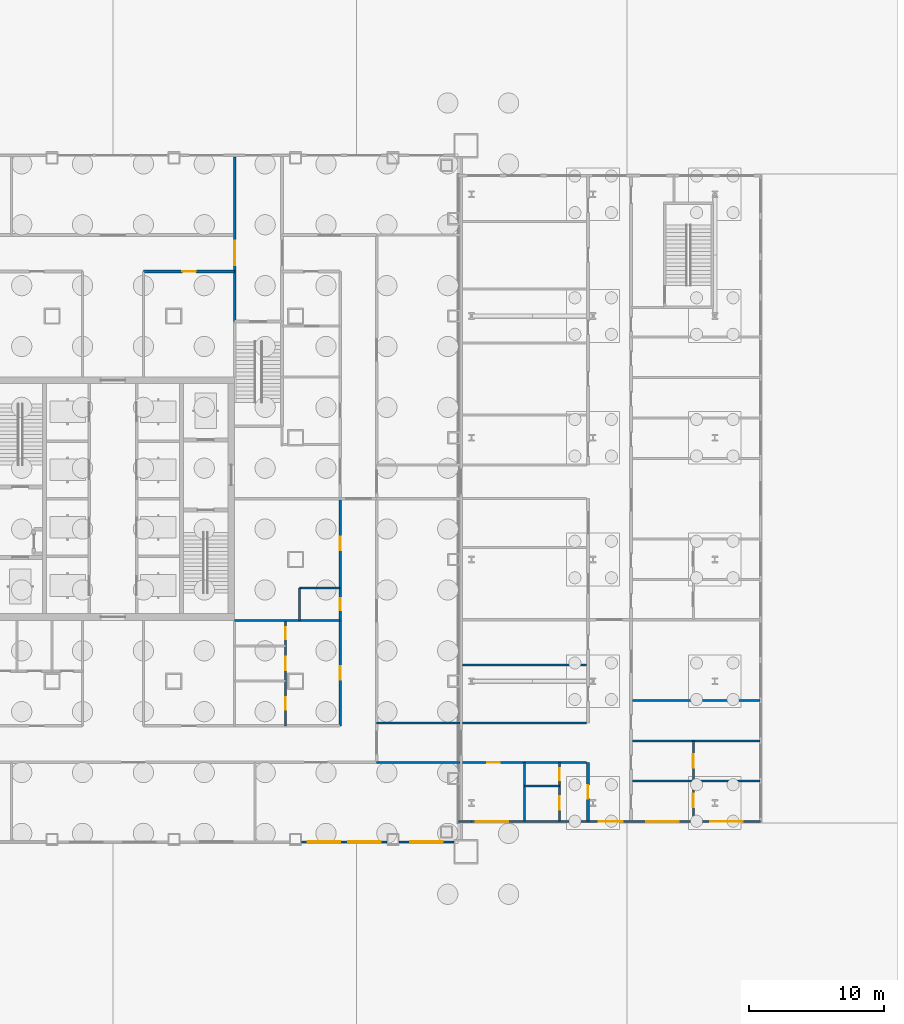
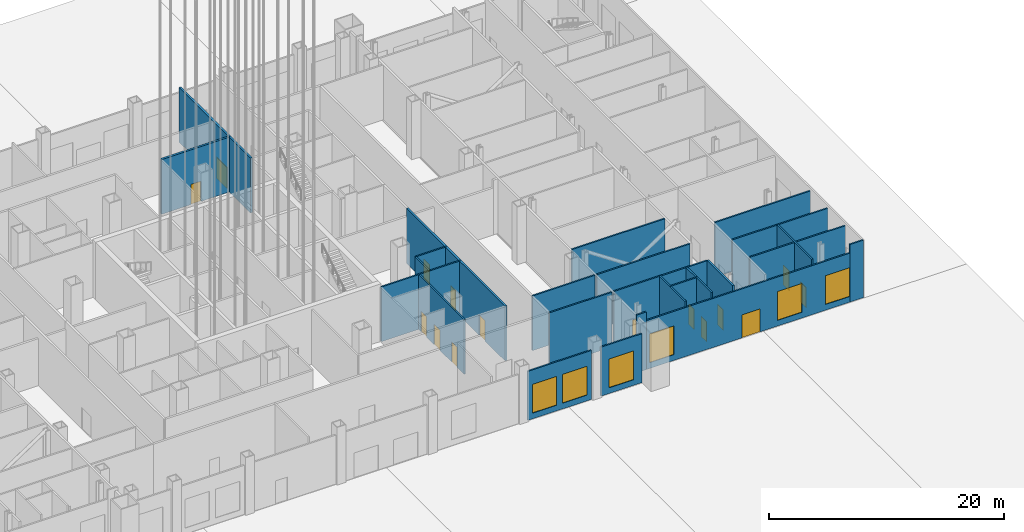
# One storey, part 9 of 36: 25 walls, 15 doors, 6 windows, 21 openings.
"""IFC4 building model written with IfcOpenShell, lengths in metres."""

from ifc_helpers import new_model, si_unit, direction, frame, frame_2d, origin, place, context, subcontext, project, spatial, rectangle, extrude, material, layer, layer_set, type_object, element, fill, save


model = new_model("IFC4")

# Units and contexts
model_context = context("Model", 3, precision=1e-05, world=origin(), true_north=direction((0.0, 1.0)))
body_context = subcontext(model_context, "Body", "Model", "MODEL_VIEW")
ifc_project = project(units=[si_unit("LENGTHUNIT", "METRE"), si_unit("AREAUNIT", "SQUARE_METRE"), si_unit("VOLUMEUNIT", "CUBIC_METRE"), si_unit("PLANEANGLEUNIT", "RADIAN"), si_unit("MASSUNIT", "GRAM", prefix="KILO")], contexts=[model_context])

# Site, building, storey
site_placement = place(None, origin())
site = spatial("IfcSite", under=ifc_project, at=site_placement, CompositionType="ELEMENT")
building_placement = place(site_placement, origin())
building = spatial("IfcBuilding", under=site, at=building_placement, Name="Malebo Sky Hospital", CompositionType="ELEMENT")
storey_placement = place(building_placement, origin())
storey = spatial("IfcBuildingStorey", under=building, at=storey_placement, Name="L00", CompositionType="ELEMENT", Elevation=0.0)

# Wall, opening, door
ifc_material_1 = material(Name="Gypsum board on steel studs", Category="steel")
ifc_layer_1 = layer(ifc_material_1, 0.199951171875)
ifc_layer_set_1 = layer_set([ifc_layer_1], Name="CORRIDOR WALL 200")
wall_type_1 = type_object("IfcWallType", Name="CORRIDOR WALL 200", PredefinedType="PARTITIONING", material=ifc_layer_set_1)
wall_1_placement = place(storey_placement, frame((62.25, 78.800048828125, 0.0), z_axis=(0.0, 0.0, 1.0), x_axis=(1.0, 0.0, 0.0)))
wall_1 = element("IfcWall", 1, at=wall_1_placement, inside=storey, type_object=wall_type_1, Name="Corridor Wall 200 NCI2", PredefinedType="PARTITIONING", context=body_context, shape_type="SweptSolid", body=[
    extrude(rectangle(XDim=6.75, YDim=0.199951171875, at=frame_2d((3.375, 0.0))), origin(), (0.0, 0.0, 1.0), 5.699951171875),
])
opening_1_placement = place(wall_1_placement, frame((2.875, 0.0, 0.0)))
opening_1 = element("IfcOpeningElement", 2, at=opening_1_placement, cuts=wall_1, Name="Opening D03", PredefinedType="OPENING", context=body_context, shape_type="SweptSolid", body=[
    extrude(rectangle(XDim=1.0, YDim=2.10009765625, at=frame_2d((0.5, 1.050048828125))), frame((0.0, 0.10986328125, 0.0), z_axis=(0.0, -1.0, 0.0), x_axis=(1.0, 0.0, 0.0)), (0.0, 0.0, 1.0), 0.219970703125),
])
ifc_material_2 = material(Name="Hardwood-faced door leaf in steel frame", Category="steel")
door_type_1 = type_object("IfcDoorType", Name="ROOM DOOR 1000", OperationType="SINGLE_SWING_LEFT", PredefinedType="DOOR", material=ifc_material_2)
door_1_placement = place(opening_1_placement, origin())
door_1 = element("IfcDoor", 3, at=door_1_placement, inside=storey, type_object=door_type_1, Name="Store door", OperationType="SINGLE_SWING_RIGHT", OverallHeight=2.10009765625, OverallWidth=1.0, PredefinedType="DOOR", context=body_context, shape_type="SweptSolid", body=[
    extrude(rectangle(XDim=1.0, YDim=2.10009765625, at=frame_2d((0.5, 1.050048828125))), frame((0.0, 0.02490234375, 0.0), z_axis=(0.0, -1.0, 0.0), x_axis=(1.0, 0.0, 0.0)), (0.0, 0.0, 1.0), 0.050048828125),
])
fill(opening_1, door_1)

# Wall, openings, doors
wall_2_placement = place(storey_placement, frame((76.800048828125, 62.0, 0.0), z_axis=(0.0, 0.0, 1.0), x_axis=(0.0, -1.0, 0.0)))
wall_2 = element("IfcWall", 4, at=wall_2_placement, inside=storey, type_object=wall_type_1, Name="Corridor Wall 200 ECI2", PredefinedType="PARTITIONING", context=body_context, shape_type="SweptSolid", body=[
    extrude(rectangle(XDim=16.800048828125, YDim=0.199951171875, at=frame_2d((8.39990234375, 0.0))), origin(), (0.0, 0.0, 1.0), 5.699951171875),
])
opening_2_placement = place(wall_2_placement, frame((12.39990234375, 0.0, 0.0)))
opening_2 = element("IfcOpeningElement", 5, at=opening_2_placement, cuts=wall_2, Name="Opening D03", PredefinedType="OPENING", context=body_context, shape_type="SweptSolid", body=[
    extrude(rectangle(XDim=1.0, YDim=2.10009765625, at=frame_2d((0.5, 1.050048828125))), frame((0.0, 0.10986328125, 0.0), z_axis=(0.0, -1.0, 0.0), x_axis=(1.0, 0.0, 0.0)), (0.0, 0.0, 1.0), 0.219970703125),
])
opening_3_placement = place(wall_2_placement, frame((7.35009765625, 0.0, 0.0)))
opening_3 = element("IfcOpeningElement", 6, at=opening_3_placement, cuts=wall_2, Name="Opening D04", PredefinedType="OPENING", context=body_context, shape_type="SweptSolid", body=[
    extrude(rectangle(XDim=0.89990234375, YDim=2.10009765625, at=frame_2d((0.449951171875, 1.050048828125))), frame((0.0, 0.10986328125, 0.0), z_axis=(0.0, -1.0, 0.0), x_axis=(1.0, 0.0, 0.0)), (0.0, 0.0, 1.0), 0.219970703125),
])
opening_4_placement = place(wall_2_placement, frame((2.800048828125, 0.0, 0.0)))
opening_4 = element("IfcOpeningElement", 7, at=opening_4_placement, cuts=wall_2, Name="Opening D03", PredefinedType="OPENING", context=body_context, shape_type="SweptSolid", body=[
    extrude(rectangle(XDim=1.0, YDim=2.10009765625, at=frame_2d((0.5, 1.050048828125))), frame((0.0, 0.10986328125, 0.0), z_axis=(0.0, -1.0, 0.0), x_axis=(1.0, 0.0, 0.0)), (0.0, 0.0, 1.0), 0.219970703125),
])
door_2_placement = place(opening_2_placement, origin())
door_2 = element("IfcDoor", 8, at=door_2_placement, inside=storey, type_object=door_type_1, Name="Public WC vestibule door", OperationType="SINGLE_SWING_RIGHT", OverallHeight=2.10009765625, OverallWidth=1.0, PredefinedType="DOOR", context=body_context, shape_type="SweptSolid", body=[
    extrude(rectangle(XDim=1.0, YDim=2.10009765625, at=frame_2d((0.5, 1.050048828125))), frame((0.0, 0.02490234375, 0.0), z_axis=(0.0, -1.0, 0.0), x_axis=(1.0, 0.0, 0.0)), (0.0, 0.0, 1.0), 0.050048828125),
])
fill(opening_2, door_2)
door_3_placement = place(opening_4_placement, origin())
door_3 = element("IfcDoor", 9, at=door_3_placement, inside=storey, type_object=door_type_1, Name="Cleaning equipment store door", OperationType="SINGLE_SWING_LEFT", OverallHeight=2.10009765625, OverallWidth=1.0, PredefinedType="DOOR", context=body_context, shape_type="SweptSolid", body=[
    extrude(rectangle(XDim=1.0, YDim=2.10009765625, at=frame_2d((0.5, 1.050048828125))), frame((0.0, 0.02490234375, 0.0), z_axis=(0.0, -1.0, 0.0), x_axis=(1.0, 0.0, 0.0)), (0.0, 0.0, 1.0), 0.050048828125),
])
fill(opening_4, door_3)
door_type_2 = type_object("IfcDoorType", Name="ROOM DOOR 900", OperationType="SINGLE_SWING_LEFT", PredefinedType="DOOR", material=ifc_material_2)
door_4_placement = place(opening_3_placement, origin())
door_4 = element("IfcDoor", 10, at=door_4_placement, inside=storey, type_object=door_type_2, Name="Cleaner's room door", OperationType="SINGLE_SWING_LEFT", OverallHeight=2.10009765625, OverallWidth=0.89990234375, PredefinedType="DOOR", context=body_context, shape_type="SweptSolid", body=[
    extrude(rectangle(XDim=0.89990234375, YDim=2.10009765625, at=frame_2d((0.449951171875, 1.050048828125))), frame((0.0, 0.02490234375, 0.0), z_axis=(0.0, -1.0, 0.0), x_axis=(1.0, 0.0, 0.0)), (0.0, 0.0, 1.0), 0.050048828125),
])
fill(opening_3, door_4)

# Wall, opening, door
wall_3_placement = place(storey_placement, frame((95.117919921875, 38.14990234375, 0.0), z_axis=(0.0, 0.0, 1.0), x_axis=(0.0, 1.0, 0.0)))
wall_3 = element("IfcWall", 11, at=wall_3_placement, inside=storey, type_object=wall_type_1, Name="Corridor Wall 200 EWC2A", PredefinedType="PARTITIONING", context=body_context, shape_type="SweptSolid", body=[
    extrude(rectangle(XDim=4.35009765625, YDim=0.199951171875, at=frame_2d((2.175048828125, 0.0))), origin(), (0.0, 0.0, 1.0), 5.699951171875),
])
opening_5_placement = place(wall_3_placement, frame((1.675048828125, 0.0, 0.0)))
opening_5 = element("IfcOpeningElement", 12, at=opening_5_placement, cuts=wall_3, Name="Opening D03", PredefinedType="OPENING", context=body_context, shape_type="SweptSolid", body=[
    extrude(rectangle(XDim=1.0, YDim=2.10009765625, at=frame_2d((0.5, 1.050048828125))), frame((0.0, 0.10986328125, 0.0), z_axis=(0.0, -1.0, 0.0), x_axis=(1.0, 0.0, 0.0)), (0.0, 0.0, 1.0), 0.219970703125),
])
door_5_placement = place(opening_5_placement, origin())
door_5 = element("IfcDoor", 13, at=door_5_placement, inside=storey, type_object=door_type_1, Name="WC vestibule door", OperationType="SINGLE_SWING_RIGHT", OverallHeight=2.10009765625, OverallWidth=1.0, PredefinedType="DOOR", context=body_context, shape_type="SweptSolid", body=[
    extrude(rectangle(XDim=1.0, YDim=2.10009765625, at=frame_2d((0.5, 1.050048828125))), frame((0.0, 0.02490234375, 0.0), z_axis=(0.0, -1.0, 0.0), x_axis=(1.0, 0.0, 0.0)), (0.0, 0.0, 1.0), 0.050048828125),
])
fill(opening_5, door_5)

# Wall, openings, windows
ifc_material_3 = material(Name="Anodised aluminium, natural silver framed screen", Category="aluminium")
ifc_layer_2 = layer(ifc_material_3, 0.14990234375)
ifc_layer_set_2 = layer_set([ifc_layer_2], Name="GLAZED ENTRANCE SCREEN 150")
wall_type_2 = type_object("IfcWallType", Name="GLAZED ENTRANCE SCREEN 150", PredefinedType="STANDARD", material=ifc_layer_set_2)
wall_4_placement = place(storey_placement, frame((73.949951171875, 36.625, 0.0), z_axis=(0.0, 0.0, 1.0), x_axis=(1.0, 0.0, 0.0)))
wall_4 = element("IfcWall", 14, at=wall_4_placement, inside=storey, type_object=wall_type_2, Name="Glazed entrance screen BS", PredefinedType="STANDARD", context=body_context, shape_type="SweptSolid", body=[
    extrude(rectangle(XDim=6.300048828125, YDim=0.14990234375, at=frame_2d((3.14990234375, 0.0))), origin(), (0.0, 0.0, 1.0), 5.10009765625),
])
opening_6_placement = place(wall_4_placement, frame((0.449951171875, 0.0, 0.60009765625)))
opening_6 = element("IfcOpeningElement", 15, at=opening_6_placement, cuts=wall_4, Name="Opening W01", PredefinedType="OPENING", context=body_context, shape_type="SweptSolid", body=[
    extrude(rectangle(XDim=2.39990234375, YDim=3.0, at=frame_2d((1.199951171875, 1.5))), frame((0.0, 0.0849609375, 0.0), z_axis=(0.0, -1.0, 0.0), x_axis=(1.0, 0.0, 0.0)), (0.0, 0.0, 1.0), 0.169921875),
])
opening_7_placement = place(wall_4_placement, frame((3.449951171875, 0.0, 0.60009765625)))
opening_7 = element("IfcOpeningElement", 16, at=opening_7_placement, cuts=wall_4, Name="Opening W01", PredefinedType="OPENING", context=body_context, shape_type="SweptSolid", body=[
    extrude(rectangle(XDim=2.39990234375, YDim=3.0, at=frame_2d((1.199951171875, 1.5))), frame((0.0, 0.0849609375, 0.0), z_axis=(0.0, -1.0, 0.0), x_axis=(1.0, 0.0, 0.0)), (0.0, 0.0, 1.0), 0.169921875),
])
ifc_material_4 = material(Name="Clear low-iron double glazing", Category="glass")
window_type = type_object("IfcWindowType", Name="SCREEN GLAZING 2400x3000", PartitioningType="SINGLE_PANEL", PredefinedType="WINDOW", material=ifc_material_4)
window_1_placement = place(opening_6_placement, origin())
window_1 = element("IfcWindow", 17, at=window_1_placement, inside=storey, type_object=window_type, Name="Screen glazing 5", OverallHeight=3.0, OverallWidth=2.39990234375, PartitioningType="SINGLE_PANEL", PredefinedType="WINDOW", context=body_context, shape_type="SweptSolid", body=[
    extrude(rectangle(XDim=2.39990234375, YDim=3.0, at=frame_2d((1.199951171875, 1.5))), frame((0.0, 0.030029296875, 0.0), z_axis=(0.0, -1.0, 0.0), x_axis=(1.0, 0.0, 0.0)), (0.0, 0.0, 1.0), 0.06005859375),
])
fill(opening_6, window_1)
window_2_placement = place(opening_7_placement, origin())
window_2 = element("IfcWindow", 18, at=window_2_placement, inside=storey, type_object=window_type, Name="Screen glazing 6", OverallHeight=3.0, OverallWidth=2.39990234375, PartitioningType="SINGLE_PANEL", PredefinedType="WINDOW", context=body_context, shape_type="SweptSolid", body=[
    extrude(rectangle(XDim=2.39990234375, YDim=3.0, at=frame_2d((1.199951171875, 1.5))), frame((0.0, 0.030029296875, 0.0), z_axis=(0.0, -1.0, 0.0), x_axis=(1.0, 0.0, 0.0)), (0.0, 0.0, 1.0), 0.06005859375),
])
fill(opening_7, window_2)

# Wall, opening, window
wall_5_placement = place(storey_placement, frame((81.14990234375, 36.625, 0.0), z_axis=(0.0, 0.0, 1.0), x_axis=(1.0, 0.0, 0.0)))
wall_5 = element("IfcWall", 19, at=wall_5_placement, inside=storey, type_object=wall_type_2, Name="Glazed entrance screen BS", PredefinedType="STANDARD", context=body_context, shape_type="SweptSolid", body=[
    extrude(rectangle(XDim=4.050048828125, YDim=0.14990234375, at=frame_2d((2.02490234375, 0.0))), origin(), (0.0, 0.0, 1.0), 5.10009765625),
])
opening_8_placement = place(wall_5_placement, frame((0.824951171875, 0.0, 0.60009765625)))
opening_8 = element("IfcOpeningElement", 20, at=opening_8_placement, cuts=wall_5, Name="Opening W01", PredefinedType="OPENING", context=body_context, shape_type="SweptSolid", body=[
    extrude(rectangle(XDim=2.39990234375, YDim=3.0, at=frame_2d((1.199951171875, 1.5))), frame((0.0, 0.0849609375, 0.0), z_axis=(0.0, -1.0, 0.0), x_axis=(1.0, 0.0, 0.0)), (0.0, 0.0, 1.0), 0.169921875),
])
window_3_placement = place(opening_8_placement, origin())
window_3 = element("IfcWindow", 21, at=window_3_placement, inside=storey, type_object=window_type, Name="Screen glazing 7", OverallHeight=3.0, OverallWidth=2.39990234375, PartitioningType="SINGLE_PANEL", PredefinedType="WINDOW", context=body_context, shape_type="SweptSolid", body=[
    extrude(rectangle(XDim=2.39990234375, YDim=3.0, at=frame_2d((1.199951171875, 1.5))), frame((0.0, 0.030029296875, 0.0), z_axis=(0.0, -1.0, 0.0), x_axis=(1.0, 0.0, 0.0)), (0.0, 0.0, 1.0), 0.06005859375),
])
fill(opening_8, window_3)

# Wall
wall_6_placement = place(storey_placement, frame((85.550048828125, 38.125, 0.0), z_axis=(0.0, 0.0, 1.0), x_axis=(1.0, 0.0, 0.0)))
element("IfcWall", 22, at=wall_6_placement, inside=storey, type_object=wall_type_2, Name="Glazed entrance screen ES", PredefinedType="STANDARD", context=body_context, shape_type="SweptSolid", body=[
    extrude(rectangle(XDim=0.949951171875, YDim=0.14990234375, at=frame_2d((0.47509765625, 0.0))), origin(), (0.0, 0.0, 1.0), 6.0),
])

# Wall, openings, door, windows
wall_7_placement = place(storey_placement, frame((86.5, 38.125, 0.0), z_axis=(0.0, 0.0, 1.0), x_axis=(1.0, 0.0, 0.0)))
wall_7 = element("IfcWall", 23, at=wall_7_placement, inside=storey, type_object=wall_type_2, Name="Glazed entrance screen ES", PredefinedType="STANDARD", context=body_context, shape_type="SweptSolid", body=[
    extrude(rectangle(XDim=20.053466796875, YDim=0.14990234375, at=frame_2d((10.02685546875, 0.0))), origin(), (0.0, 0.0, 1.0), 5.10009765625),
])
opening_9_placement = place(wall_7_placement, frame((9.39990234375, 0.0, 0.0)))
opening_9 = element("IfcOpeningElement", 24, at=opening_9_placement, cuts=wall_7, Name="Opening D12", PredefinedType="OPENING", context=body_context, shape_type="SweptSolid", body=[
    extrude(rectangle(XDim=1.800048828125, YDim=2.39990234375, at=frame_2d((0.89990234375, 1.199951171875))), frame((0.0, 0.0849609375, 0.0), z_axis=(0.0, -1.0, 0.0), x_axis=(1.0, 0.0, 0.0)), (0.0, 0.0, 1.0), 0.169921875),
])
opening_10_placement = place(wall_7_placement, frame((0.321533203125, 0.0, 0.60009765625)))
opening_10 = element("IfcOpeningElement", 25, at=opening_10_placement, cuts=wall_7, Name="Opening W01", PredefinedType="OPENING", context=body_context, shape_type="SweptSolid", body=[
    extrude(rectangle(XDim=2.39990234375, YDim=3.0, at=frame_2d((1.199951171875, 1.5))), frame((0.0, 0.0849609375, 0.0), z_axis=(0.0, -1.0, 0.0), x_axis=(1.0, 0.0, 0.0)), (0.0, 0.0, 1.0), 0.169921875),
])
opening_11_placement = place(wall_7_placement, frame((12.91943359375, 0.0, 0.60009765625)))
opening_11 = element("IfcOpeningElement", 26, at=opening_11_placement, cuts=wall_7, Name="Opening W01", PredefinedType="OPENING", context=body_context, shape_type="SweptSolid", body=[
    extrude(rectangle(XDim=2.39990234375, YDim=3.0, at=frame_2d((1.199951171875, 1.5))), frame((0.0, 0.0849609375, 0.0), z_axis=(0.0, -1.0, 0.0), x_axis=(1.0, 0.0, 0.0)), (0.0, 0.0, 1.0), 0.169921875),
])
opening_12_placement = place(wall_7_placement, frame((17.653564453125, 0.0, 0.60009765625)))
opening_12 = element("IfcOpeningElement", 27, at=opening_12_placement, cuts=wall_7, Name="Opening W01", PredefinedType="OPENING", context=body_context, shape_type="SweptSolid", body=[
    extrude(rectangle(XDim=2.39990234375, YDim=3.0, at=frame_2d((1.199951171875, 1.5))), frame((0.0, 0.0849609375, 0.0), z_axis=(0.0, -1.0, 0.0), x_axis=(1.0, 0.0, 0.0)), (0.0, 0.0, 1.0), 0.169921875),
])
ifc_material_5 = material(Name="Anodised aluminium, natural silver framed glazed door", Category="aluminium")
door_type_3 = type_object("IfcDoorType", Name="EXIT DOOR PAIR 1800", OperationType="DOUBLE_DOOR_SINGLE_SWING", PredefinedType="DOOR", material=ifc_material_5)
door_6_placement = place(opening_9_placement, frame((1.800048828125, 0.0, 0.0), z_axis=(0.0, 0.0, 1.0), x_axis=(-1.0, 0.0, 0.0)))
door_6 = element("IfcDoor", 28, at=door_6_placement, inside=storey, type_object=door_type_3, Name="East wing exit doors", OperationType="DOUBLE_DOOR_SINGLE_SWING", OverallHeight=2.39990234375, OverallWidth=1.800048828125, PredefinedType="DOOR", context=body_context, shape_type="SweptSolid", body=[
    extrude(rectangle(XDim=1.800048828125, YDim=2.39990234375, at=frame_2d((0.89990234375, 1.199951171875))), frame((0.0, 0.02490234375, 0.0), z_axis=(0.0, -1.0, 0.0), x_axis=(1.0, 0.0, 0.0)), (0.0, 0.0, 1.0), 0.050048828125),
])
fill(opening_9, door_6)
window_4_placement = place(opening_10_placement, origin())
window_4 = element("IfcWindow", 29, at=window_4_placement, inside=storey, type_object=window_type, Name="Screen glazing 1", OverallHeight=3.0, OverallWidth=2.39990234375, PartitioningType="SINGLE_PANEL", PredefinedType="WINDOW", context=body_context, shape_type="SweptSolid", body=[
    extrude(rectangle(XDim=2.39990234375, YDim=3.0, at=frame_2d((1.199951171875, 1.5))), frame((0.0, 0.030029296875, 0.0), z_axis=(0.0, -1.0, 0.0), x_axis=(1.0, 0.0, 0.0)), (0.0, 0.0, 1.0), 0.06005859375),
])
fill(opening_10, window_4)
window_5_placement = place(opening_11_placement, origin())
window_5 = element("IfcWindow", 30, at=window_5_placement, inside=storey, type_object=window_type, Name="Screen glazing 2", OverallHeight=3.0, OverallWidth=2.39990234375, PartitioningType="SINGLE_PANEL", PredefinedType="WINDOW", context=body_context, shape_type="SweptSolid", body=[
    extrude(rectangle(XDim=2.39990234375, YDim=3.0, at=frame_2d((1.199951171875, 1.5))), frame((0.0, 0.030029296875, 0.0), z_axis=(0.0, -1.0, 0.0), x_axis=(1.0, 0.0, 0.0)), (0.0, 0.0, 1.0), 0.06005859375),
])
fill(opening_11, window_5)
window_6_placement = place(opening_12_placement, origin())
window_6 = element("IfcWindow", 31, at=window_6_placement, inside=storey, type_object=window_type, Name="Screen glazing 3", OverallHeight=3.0, OverallWidth=2.39990234375, PartitioningType="SINGLE_PANEL", PredefinedType="WINDOW", context=body_context, shape_type="SweptSolid", body=[
    extrude(rectangle(XDim=2.39990234375, YDim=3.0, at=frame_2d((1.199951171875, 1.5))), frame((0.0, 0.030029296875, 0.0), z_axis=(0.0, -1.0, 0.0), x_axis=(1.0, 0.0, 0.0)), (0.0, 0.0, 1.0), 0.06005859375),
])
fill(opening_12, window_6)

# Walls
wall_8_placement = place(storey_placement, frame((106.553466796875, 38.125, 0.0), z_axis=(0.0, 0.0, 1.0), x_axis=(1.0, 0.0, 0.0)))
element("IfcWall", 32, at=wall_8_placement, inside=storey, type_object=wall_type_2, Name="Glazed entrance screen ES", PredefinedType="STANDARD", context=body_context, shape_type="SweptSolid", body=[
    extrude(rectangle(XDim=1.321533203125, YDim=0.14990234375, at=frame_2d((0.66064453125, 0.0))), origin(), (0.0, 0.0, 1.0), 6.0),
])
ifc_layer_3 = layer(ifc_material_1, 0.14990234375)
ifc_layer_set_3 = layer_set([ifc_layer_3], Name="PARTITION 150")
wall_type_3 = type_object("IfcWallType", Name="PARTITION 150", PredefinedType="PARTITIONING", material=ifc_layer_set_3)
for number, where, z_axis, x_axis, name in (
    (33, (79.5, 45.39990234375, 0.0), (0.0, 0.0, 1.0), (1.0, 0.0, 0.0), "Partition 150 EP+16.6"),
    (34, (79.5, 42.5, 0.0), (0.0, 0.0, 1.0), (1.0, 0.0, 0.0), "Partition 150 EP+19.5"),
):
    element("IfcWall", number, at=place(storey_placement, frame(where, z_axis=z_axis, x_axis=x_axis)), inside=storey, type_object=wall_type_3, Name=name, PredefinedType="PARTITIONING", context=body_context, shape_type="SweptSolid", body=[
        extrude(rectangle(XDim=6.14990234375, YDim=0.14990234375, at=frame_2d((3.074951171875, 0.0))), origin(), (0.0, 0.0, 1.0), 5.699951171875),
    ])
wall_9_placement = place(storey_placement, frame((69.0, 53.0, 0.0), z_axis=(0.0, 0.0, 1.0), x_axis=(1.0, 0.0, 0.0)))
element("IfcWall", 35, at=wall_9_placement, inside=storey, type_object=wall_type_3, Name="Partition 150 ESP9", PredefinedType="PARTITIONING", context=body_context, shape_type="SweptSolid", body=[
    extrude(rectangle(XDim=7.800048828125, YDim=0.14990234375, at=frame_2d((3.89990234375, 0.0))), origin(), (0.0, 0.0, 1.0), 5.699951171875),
])
wall_10_placement = place(storey_placement, frame((73.800048828125, 55.39990234375, 0.0), z_axis=(0.0, 0.0, 1.0), x_axis=(1.0, 0.0, 0.0)))
element("IfcWall", 36, at=wall_10_placement, inside=storey, type_object=wall_type_3, Name="Partition 150 ES1K1", PredefinedType="PARTITIONING", context=body_context, shape_type="SweptSolid", body=[
    extrude(rectangle(XDim=3.0, YDim=0.14990234375, at=frame_2d((1.5, 0.0))), origin(), (0.0, 0.0, 1.0), 5.699951171875),
])
wall_11_placement = place(storey_placement, frame((73.800048828125, 55.39990234375, 0.0), z_axis=(0.0, 0.0, 1.0), x_axis=(0.0, -1.0, 0.0)))
element("IfcWall", 37, at=wall_11_placement, inside=storey, type_object=wall_type_3, Name="Partition 150 ES1K2", PredefinedType="PARTITIONING", context=body_context, shape_type="SweptSolid", body=[
    extrude(rectangle(XDim=2.39990234375, YDim=0.14990234375, at=frame_2d((1.199951171875, 0.0))), origin(), (0.0, 0.0, 1.0), 5.699951171875),
])

# Wall, openings, doors
wall_12_placement = place(storey_placement, frame((72.75, 53.0, 0.0), z_axis=(0.0, 0.0, 1.0), x_axis=(0.0, -1.0, 0.0)))
wall_12 = element("IfcWall", 38, at=wall_12_placement, inside=storey, type_object=wall_type_3, Name="Partition 150 ES2F", PredefinedType="PARTITIONING", context=body_context, shape_type="SweptSolid", body=[
    extrude(rectangle(XDim=7.800048828125, YDim=0.14990234375, at=frame_2d((3.89990234375, 0.0))), origin(), (0.0, 0.0, 1.0), 5.699951171875),
])
opening_13_placement = place(wall_12_placement, frame((0.5, 0.0, 0.0)))
opening_13 = element("IfcOpeningElement", 39, at=opening_13_placement, cuts=wall_12, Name="Opening D04", PredefinedType="OPENING", context=body_context, shape_type="SweptSolid", body=[
    extrude(rectangle(XDim=0.89990234375, YDim=2.10009765625, at=frame_2d((0.449951171875, 1.050048828125))), frame((0.0, 0.0849609375, 0.0), z_axis=(0.0, -1.0, 0.0), x_axis=(1.0, 0.0, 0.0)), (0.0, 0.0, 1.0), 0.169921875),
])
opening_14_placement = place(wall_12_placement, frame((2.699951171875, 0.0, 0.0)))
opening_14 = element("IfcOpeningElement", 40, at=opening_14_placement, cuts=wall_12, Name="Opening D03", PredefinedType="OPENING", context=body_context, shape_type="SweptSolid", body=[
    extrude(rectangle(XDim=1.0, YDim=2.10009765625, at=frame_2d((0.5, 1.050048828125))), frame((0.0, 0.0849609375, 0.0), z_axis=(0.0, -1.0, 0.0), x_axis=(1.0, 0.0, 0.0)), (0.0, 0.0, 1.0), 0.169921875),
])
opening_15_placement = place(wall_12_placement, frame((5.699951171875, 0.0, 0.0)))
opening_15 = element("IfcOpeningElement", 41, at=opening_15_placement, cuts=wall_12, Name="Opening D04", PredefinedType="OPENING", context=body_context, shape_type="SweptSolid", body=[
    extrude(rectangle(XDim=0.89990234375, YDim=2.10009765625, at=frame_2d((0.449951171875, 1.050048828125))), frame((0.0, 0.0849609375, 0.0), z_axis=(0.0, -1.0, 0.0), x_axis=(1.0, 0.0, 0.0)), (0.0, 0.0, 1.0), 0.169921875),
])
door_7_placement = place(opening_14_placement, origin())
door_7 = element("IfcDoor", 42, at=door_7_placement, inside=storey, type_object=door_type_1, Name="Accessible WC door", OperationType="SINGLE_SWING_LEFT", OverallHeight=2.10009765625, OverallWidth=1.0, PredefinedType="DOOR", context=body_context, shape_type="SweptSolid", body=[
    extrude(rectangle(XDim=1.0, YDim=2.10009765625, at=frame_2d((0.5, 1.050048828125))), frame((0.0, 0.02490234375, 0.0), z_axis=(0.0, -1.0, 0.0), x_axis=(1.0, 0.0, 0.0)), (0.0, 0.0, 1.0), 0.050048828125),
])
fill(opening_14, door_7)
door_8_placement = place(opening_13_placement, origin())
door_8 = element("IfcDoor", 43, at=door_8_placement, inside=storey, type_object=door_type_2, Name="Public WC door", OperationType="SINGLE_SWING_LEFT", OverallHeight=2.10009765625, OverallWidth=0.89990234375, PredefinedType="DOOR", context=body_context, shape_type="SweptSolid", body=[
    extrude(rectangle(XDim=0.89990234375, YDim=2.10009765625, at=frame_2d((0.449951171875, 1.050048828125))), frame((0.0, 0.02490234375, 0.0), z_axis=(0.0, -1.0, 0.0), x_axis=(1.0, 0.0, 0.0)), (0.0, 0.0, 1.0), 0.050048828125),
])
fill(opening_13, door_8)
door_9_placement = place(opening_15_placement, origin())
door_9 = element("IfcDoor", 44, at=door_9_placement, inside=storey, type_object=door_type_2, Name="Public WC door", OperationType="SINGLE_SWING_RIGHT", OverallHeight=2.10009765625, OverallWidth=0.89990234375, PredefinedType="DOOR", context=body_context, shape_type="SweptSolid", body=[
    extrude(rectangle(XDim=0.89990234375, YDim=2.10009765625, at=frame_2d((0.449951171875, 1.050048828125))), frame((0.0, 0.02490234375, 0.0), z_axis=(0.0, -1.0, 0.0), x_axis=(1.0, 0.0, 0.0)), (0.0, 0.0, 1.0), 0.050048828125),
])
fill(opening_15, door_9)

# Walls
for number, where, z_axis, x_axis, name in (
    (45, (107.85009765625, 41.109375, 0.0), (0.0, 0.0, 1.0), (-1.0, 0.0, 0.0), "Partition 150 EOH00"),
    (46, (107.85009765625, 44.09375, 0.0), (0.0, 0.0, 1.0), (-1.0, 0.0, 0.0), "Partition 150 EOH01"),
    (47, (107.85009765625, 47.078125, 0.0), (0.0, 0.0, 1.0), (-1.0, 0.0, 0.0), "Partition 150 EOH02"),
):
    element("IfcWall", number, at=place(storey_placement, frame(where, z_axis=z_axis, x_axis=x_axis)), inside=storey, type_object=wall_type_3, Name=name, PredefinedType="PARTITIONING", context=body_context, shape_type="SweptSolid", body=[
        extrude(rectangle(XDim=9.443115234375, YDim=0.14990234375, at=frame_2d((4.7216796875, 0.0))), origin(), (0.0, 0.0, 1.0), 5.699951171875),
    ])

# Wall, openings, doors
wall_13_placement = place(storey_placement, frame((102.906982421875, 38.14990234375, 0.0), z_axis=(0.0, 0.0, 1.0), x_axis=(0.0, 1.0, 0.0)))
wall_13 = element("IfcWall", 48, at=wall_13_placement, inside=storey, type_object=wall_type_3, Name="Partition 150 EOV09", PredefinedType="PARTITIONING", context=body_context, shape_type="SweptSolid", body=[
    extrude(rectangle(XDim=5.94384765625, YDim=0.14990234375, at=frame_2d((2.971923828125, 0.0))), origin(), (0.0, 0.0, 1.0), 5.699951171875),
])
opening_16_placement = place(wall_13_placement, frame((1.02978515625, 0.0, 0.0)))
opening_16 = element("IfcOpeningElement", 49, at=opening_16_placement, cuts=wall_13, Name="Opening D03", PredefinedType="OPENING", context=body_context, shape_type="SweptSolid", body=[
    extrude(rectangle(XDim=1.0, YDim=2.10009765625, at=frame_2d((0.5, 1.050048828125))), frame((0.0, 0.0849609375, 0.0), z_axis=(0.0, -1.0, 0.0), x_axis=(1.0, 0.0, 0.0)), (0.0, 0.0, 1.0), 0.169921875),
])
opening_17_placement = place(wall_13_placement, frame((3.95166015625, 0.0, 0.0)))
opening_17 = element("IfcOpeningElement", 50, at=opening_17_placement, cuts=wall_13, Name="Opening D03", PredefinedType="OPENING", context=body_context, shape_type="SweptSolid", body=[
    extrude(rectangle(XDim=1.0, YDim=2.10009765625, at=frame_2d((0.5, 1.050048828125))), frame((0.0, 0.0849609375, 0.0), z_axis=(0.0, -1.0, 0.0), x_axis=(1.0, 0.0, 0.0)), (0.0, 0.0, 1.0), 0.169921875),
])
door_10_placement = place(opening_16_placement, origin())
door_10 = element("IfcDoor", 51, at=door_10_placement, inside=storey, type_object=door_type_1, Name="Examination room inner door", OperationType="SINGLE_SWING_RIGHT", OverallHeight=2.10009765625, OverallWidth=1.0, PredefinedType="DOOR", context=body_context, shape_type="SweptSolid", body=[
    extrude(rectangle(XDim=1.0, YDim=2.10009765625, at=frame_2d((0.5, 1.050048828125))), frame((0.0, 0.02490234375, 0.0), z_axis=(0.0, -1.0, 0.0), x_axis=(1.0, 0.0, 0.0)), (0.0, 0.0, 1.0), 0.050048828125),
])
fill(opening_16, door_10)
door_11_placement = place(opening_17_placement, origin())
door_11 = element("IfcDoor", 52, at=door_11_placement, inside=storey, type_object=door_type_1, Name="Examination room inner door", OperationType="SINGLE_SWING_LEFT", OverallHeight=2.10009765625, OverallWidth=1.0, PredefinedType="DOOR", context=body_context, shape_type="SweptSolid", body=[
    extrude(rectangle(XDim=1.0, YDim=2.10009765625, at=frame_2d((0.5, 1.050048828125))), frame((0.0, 0.02490234375, 0.0), z_axis=(0.0, -1.0, 0.0), x_axis=(1.0, 0.0, 0.0)), (0.0, 0.0, 1.0), 0.050048828125),
])
fill(opening_17, door_11)

# Wall
wall_14_placement = place(storey_placement, frame((93.01806640625, 40.75, 0.0), z_axis=(0.0, 0.0, 1.0), x_axis=(-1.0, 0.0, 0.0)))
element("IfcWall", 53, at=wall_14_placement, inside=storey, type_object=wall_type_3, Name="Partition 150 EIH00", PredefinedType="PARTITIONING", context=body_context, shape_type="SweptSolid", body=[
    extrude(rectangle(XDim=2.60009765625, YDim=0.14990234375, at=frame_2d((1.300048828125, 0.0))), origin(), (0.0, 0.0, 1.0), 5.699951171875),
])

# Wall, opening, door
wall_15_placement = place(storey_placement, frame((95.01806640625, 42.5, 0.0), z_axis=(0.0, 0.0, 1.0), x_axis=(-1.0, 0.0, 0.0)))
wall_15 = element("IfcWall", 54, at=wall_15_placement, inside=storey, type_object=wall_type_3, Name="Partition 150 EIH01", PredefinedType="PARTITIONING", context=body_context, shape_type="SweptSolid", body=[
    extrude(rectangle(XDim=9.16796875, YDim=0.14990234375, at=frame_2d((4.583984375, 0.0))), origin(), (0.0, 0.0, 1.0), 5.699951171875),
])
opening_18_placement = place(wall_15_placement, frame((6.43408203125, 0.0, 0.0)))
opening_18 = element("IfcOpeningElement", 55, at=opening_18_placement, cuts=wall_15, Name="Opening D04", PredefinedType="OPENING", context=body_context, shape_type="SweptSolid", body=[
    extrude(rectangle(XDim=0.89990234375, YDim=2.10009765625, at=frame_2d((0.449951171875, 1.050048828125))), frame((0.0, 0.0849609375, 0.0), z_axis=(0.0, -1.0, 0.0), x_axis=(1.0, 0.0, 0.0)), (0.0, 0.0, 1.0), 0.169921875),
])
door_12_placement = place(opening_18_placement, origin())
door_12 = element("IfcDoor", 56, at=door_12_placement, inside=storey, type_object=door_type_2, Name="Cleaner's room inner door", OperationType="SINGLE_SWING_LEFT", OverallHeight=2.10009765625, OverallWidth=0.89990234375, PredefinedType="DOOR", context=body_context, shape_type="SweptSolid", body=[
    extrude(rectangle(XDim=0.89990234375, YDim=2.10009765625, at=frame_2d((0.449951171875, 1.050048828125))), frame((0.0, 0.02490234375, 0.0), z_axis=(0.0, -1.0, 0.0), x_axis=(1.0, 0.0, 0.0)), (0.0, 0.0, 1.0), 0.050048828125),
])
fill(opening_18, door_12)

# Walls
for number, where, z_axis, x_axis, name in (
    (57, (95.01806640625, 45.39990234375, 0.0), (0.0, 0.0, 1.0), (-1.0, 0.0, 0.0), "Partition 150 EIH02"),
    (58, (95.01806640625, 49.699951171875, 0.0), (0.0, 0.0, 1.0), (-1.0, 0.0, 0.0), "Partition 150 EIH03"),
):
    element("IfcWall", number, at=place(storey_placement, frame(where, z_axis=z_axis, x_axis=x_axis)), inside=storey, type_object=wall_type_3, Name=name, PredefinedType="PARTITIONING", context=body_context, shape_type="SweptSolid", body=[
        extrude(rectangle(XDim=9.16796875, YDim=0.14990234375, at=frame_2d((4.583984375, 0.0))), origin(), (0.0, 0.0, 1.0), 5.699951171875),
    ])

# Wall, openings, doors
wall_16_placement = place(storey_placement, frame((93.01806640625, 38.14990234375, 0.0), z_axis=(0.0, 0.0, 1.0), x_axis=(0.0, 1.0, 0.0)))
wall_16 = element("IfcWall", 59, at=wall_16_placement, inside=storey, type_object=wall_type_3, Name="Partition 150 EIV12", PredefinedType="PARTITIONING", context=body_context, shape_type="SweptSolid", body=[
    extrude(rectangle(XDim=4.35009765625, YDim=0.14990234375, at=frame_2d((2.175048828125, 0.0))), origin(), (0.0, 0.0, 1.0), 5.699951171875),
])
opening_19_placement = place(wall_16_placement, frame((0.85009765625, 0.0, 0.0)))
opening_19 = element("IfcOpeningElement", 60, at=opening_19_placement, cuts=wall_16, Name="Opening D03", PredefinedType="OPENING", context=body_context, shape_type="SweptSolid", body=[
    extrude(rectangle(XDim=1.0, YDim=2.10009765625, at=frame_2d((0.5, 1.050048828125))), frame((0.0, 0.0849609375, 0.0), z_axis=(0.0, -1.0, 0.0), x_axis=(1.0, 0.0, 0.0)), (0.0, 0.0, 1.0), 0.169921875),
])
opening_20_placement = place(wall_16_placement, frame((3.02490234375, 0.0, 0.0)))
opening_20 = element("IfcOpeningElement", 61, at=opening_20_placement, cuts=wall_16, Name="Opening D04", PredefinedType="OPENING", context=body_context, shape_type="SweptSolid", body=[
    extrude(rectangle(XDim=0.89990234375, YDim=2.10009765625, at=frame_2d((0.449951171875, 1.050048828125))), frame((0.0, 0.0849609375, 0.0), z_axis=(0.0, -1.0, 0.0), x_axis=(1.0, 0.0, 0.0)), (0.0, 0.0, 1.0), 0.169921875),
])
door_13_placement = place(opening_19_placement, origin())
door_13 = element("IfcDoor", 62, at=door_13_placement, inside=storey, type_object=door_type_1, Name="Accessible WC inner door", OperationType="SINGLE_SWING_RIGHT", OverallHeight=2.10009765625, OverallWidth=1.0, PredefinedType="DOOR", context=body_context, shape_type="SweptSolid", body=[
    extrude(rectangle(XDim=1.0, YDim=2.10009765625, at=frame_2d((0.5, 1.050048828125))), frame((0.0, 0.02490234375, 0.0), z_axis=(0.0, -1.0, 0.0), x_axis=(1.0, 0.0, 0.0)), (0.0, 0.0, 1.0), 0.050048828125),
])
fill(opening_19, door_13)
door_14_placement = place(opening_20_placement, origin())
door_14 = element("IfcDoor", 63, at=door_14_placement, inside=storey, type_object=door_type_2, Name="Staff WC inner door", OperationType="SINGLE_SWING_LEFT", OverallHeight=2.10009765625, OverallWidth=0.89990234375, PredefinedType="DOOR", context=body_context, shape_type="SweptSolid", body=[
    extrude(rectangle(XDim=0.89990234375, YDim=2.10009765625, at=frame_2d((0.449951171875, 1.050048828125))), frame((0.0, 0.02490234375, 0.0), z_axis=(0.0, -1.0, 0.0), x_axis=(1.0, 0.0, 0.0)), (0.0, 0.0, 1.0), 0.050048828125),
])
fill(opening_20, door_14)

# Wall
wall_17_placement = place(storey_placement, frame((90.41796875, 38.14990234375, 0.0), z_axis=(0.0, 0.0, 1.0), x_axis=(0.0, 1.0, 0.0)))
element("IfcWall", 64, at=wall_17_placement, inside=storey, type_object=wall_type_3, Name="Partition 150 EIV13", PredefinedType="PARTITIONING", context=body_context, shape_type="SweptSolid", body=[
    extrude(rectangle(XDim=4.35009765625, YDim=0.14990234375, at=frame_2d((2.175048828125, 0.0))), origin(), (0.0, 0.0, 1.0), 5.699951171875),
])

# Wall, opening, door
ifc_material_6 = material(Name="Concrete C40/50", Category="concrete")
ifc_layer_4 = layer(ifc_material_6, 0.199951171875)
ifc_layer_set_4 = layer_set([ifc_layer_4], Name="STAIR ENCLOSURE WALL 200")
wall_type_4 = type_object("IfcWallType", Name="STAIR ENCLOSURE WALL 200", PredefinedType="SOLIDWALL", material=ifc_layer_set_4)
wall_18_placement = place(storey_placement, frame((69.0, 75.10009765625, 0.0), z_axis=(0.0, 0.0, 1.0), x_axis=(0.0, 1.0, 0.0)))
wall_18 = element("IfcWall", 65, at=wall_18_placement, inside=storey, type_object=wall_type_4, Name="Stair Enclosure Wall 200 ST3AW", PredefinedType="SOLIDWALL", context=body_context, shape_type="SweptSolid", body=[
    extrude(rectangle(XDim=12.14990234375, YDim=0.199951171875, at=frame_2d((6.074951171875, 0.0))), origin(), (0.0, 0.0, 1.0), 5.699951171875),
])
opening_21_placement = place(wall_18_placement, frame((4.14990234375, 0.0, 0.0)))
opening_21 = element("IfcOpeningElement", 66, at=opening_21_placement, cuts=wall_18, Name="Opening D28", PredefinedType="OPENING", context=body_context, shape_type="SweptSolid", body=[
    extrude(rectangle(XDim=1.800048828125, YDim=2.199951171875, at=frame_2d((0.89990234375, 1.10009765625))), frame((0.0, 0.10986328125, 0.0), z_axis=(0.0, -1.0, 0.0), x_axis=(1.0, 0.0, 0.0)), (0.0, 0.0, 1.0), 0.219970703125),
])
door_type_4 = type_object("IfcDoorType", Name="FIRE DOOR PAIR 1800", OperationType="DOUBLE_DOOR_SINGLE_SWING", PredefinedType="DOOR", material=ifc_material_2)
door_15_placement = place(opening_21_placement, origin())
door_15 = element("IfcDoor", 67, at=door_15_placement, inside=storey, type_object=door_type_4, Name="Exit passage fire door pair", OperationType="DOUBLE_DOOR_SINGLE_SWING", OverallHeight=2.199951171875, OverallWidth=1.800048828125, PredefinedType="DOOR", context=body_context, shape_type="SweptSolid", body=[
    extrude(rectangle(XDim=1.800048828125, YDim=2.199951171875, at=frame_2d((0.89990234375, 1.10009765625))), frame((0.0, 0.02490234375, 0.0), z_axis=(0.0, -1.0, 0.0), x_axis=(1.0, 0.0, 0.0)), (0.0, 0.0, 1.0), 0.050048828125),
])
fill(opening_21, door_15)

save(model, "model.ifc")
